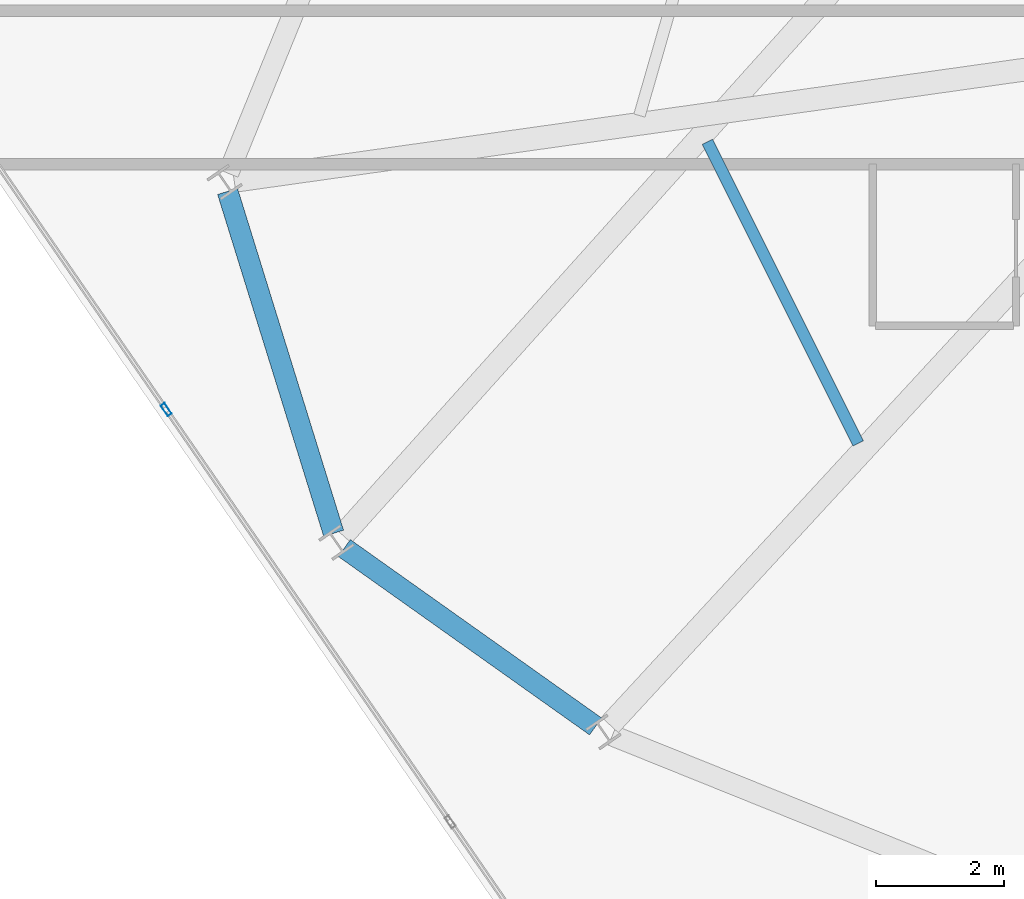
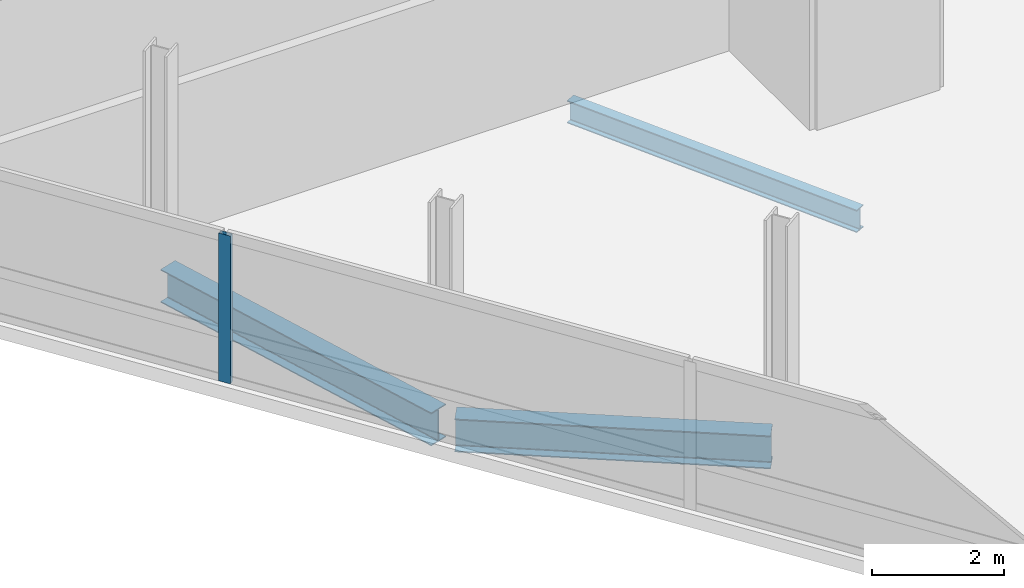
# One storey, part 5 of 21: 3 beams, 1 member, 1 element without a shape of its own.
"""IFC4 building model written with IfcOpenShell, lengths in metres."""

import ifcopenshell
import ifcopenshell.guid

model = None  # the IFC model being written
_history = None  # IfcOwnerHistory: only IFC2X3 demands one
_inside = {}  # id of a spatial element -> (the spatial element, [elements in it])
_under = {}  # id of a project, library or spatial element -> (it, [spatial elements below it])
_declared = {}  # id of a project -> (the project, [libraries it declares])
_typed = {}  # id of a type object -> (the type object, [elements of that type])
_made_of = {}  # id of a material, layer set ... -> (it, [elements and type objects made of it])


def new_model(schema):
    """Start an empty IFC model of exactly this schema.

    Asked for "IFC4X3", IfcOpenShell would pick the latest addendum, in which some entities
    have other attributes; the version numbers below select the first issue.
    IFC2X3 requires an IfcOwnerHistory on every rooted entity: one is made here for all.
    """
    global model, _history
    if schema == "IFC4X3":
        model = ifcopenshell.file(schema_version=(4, 3, 0, 0))
    else:
        model = ifcopenshell.file(schema=schema)
    _inside.clear()
    _under.clear()
    _declared.clear()
    _typed.clear()
    _made_of.clear()
    _history = None
    if model.schema == "IFC2X3":
        org = make("IfcOrganization", Name="unknown")
        user = make(
            "IfcPersonAndOrganization",
            ThePerson=make("IfcPerson", FamilyName="unknown"),
            TheOrganization=org,
        )
        app = make(
            "IfcApplication",
            ApplicationDeveloper=org,
            Version="unknown",
            ApplicationFullName="unknown",
            ApplicationIdentifier="unknown",
        )
        _history = make(
            "IfcOwnerHistory",
            OwningUser=user,
            OwningApplication=app,
            ChangeAction="ADDED",
            CreationDate=0,
        )
    return model


def make(cls, **values):
    """One entity of the class cls with the attributes given. An attribute that is None is left unset."""
    return model.create_entity(
        cls, **{name: value for name, value in values.items() if value is not None}
    )


def rooted(cls, **values):
    """An entity with a GlobalId (a new one), such as an element, a storey or a relation."""
    return make(cls, GlobalId=ifcopenshell.guid.new(), OwnerHistory=_history, **values)


def si_unit(unit_type, name, prefix=None):
    """IfcSIUnit, for example si_unit("LENGTHUNIT", "METRE", prefix="MILLI")."""
    return make("IfcSIUnit", UnitType=unit_type, Prefix=prefix, Name=name)


def assignment(units):
    """IfcUnitAssignment: the units of a project."""
    return None if units is None else make("IfcUnitAssignment", Units=units)


def point(xyz):
    """IfcCartesianPoint."""
    return None if xyz is None else make("IfcCartesianPoint", Coordinates=xyz)


def direction(xyz):
    """IfcDirection."""
    return None if xyz is None else make("IfcDirection", DirectionRatios=xyz)


def frame(location, z_axis=None, x_axis=None):
    """IfcAxis2Placement3D, a coordinate frame: its origin and axes. An axis left out is left unset."""
    return make(
        "IfcAxis2Placement3D",
        Location=point(location),
        Axis=direction(z_axis),
        RefDirection=direction(x_axis),
    )


def frame_2d(location, x_axis=None):
    """IfcAxis2Placement2D, a coordinate frame in the plane: its origin and x axis."""
    return make(
        "IfcAxis2Placement2D", Location=point(location), RefDirection=direction(x_axis)
    )


def origin():
    """The frame at (0, 0, 0) with its axes left unset."""
    return frame((0.0, 0.0, 0.0))


def origin_2d():
    """The frame at (0, 0) in the plane with its x axis left unset."""
    return frame_2d((0.0, 0.0))


def place(relative_to, where):
    """IfcLocalPlacement: puts the frame where relative to a parent placement (None: the world)."""
    return make(
        "IfcLocalPlacement", PlacementRelTo=relative_to, RelativePlacement=where
    )


def context(
    kind, dimensions, precision=None, world=None, true_north=None, identifier=None
):
    """IfcGeometricRepresentationContext, for example the 3D "Model" context."""
    return make(
        "IfcGeometricRepresentationContext",
        ContextIdentifier=identifier,
        ContextType=kind,
        CoordinateSpaceDimension=dimensions,
        Precision=precision,
        WorldCoordinateSystem=world,
        TrueNorth=true_north,
    )


def subcontext(parent, identifier, kind, view, scale=None):
    """IfcGeometricRepresentationSubContext, for example "Body" below "Model"."""
    return make(
        "IfcGeometricRepresentationSubContext",
        ContextIdentifier=identifier,
        ContextType=kind,
        ParentContext=parent,
        TargetScale=scale,
        TargetView=view,
    )


def project(units=None, contexts=None):
    """IfcProject with its units and contexts."""
    return rooted(
        "IfcProject",
        Name="project",
        RepresentationContexts=contexts,
        UnitsInContext=assignment(units),
    )


def spatial(cls, under=None, at=None, **own):
    """A site, building, storey or space (cls), placed at a placement, below another one or the project."""
    s = rooted(cls, ObjectPlacement=at, **own)
    if under is not None:
        _under.setdefault(under.id(), (under, []))[1].append(s)
    return s


def profile(cls, at=None, kind="AREA", **sizes):
    """A parametric profile (cls). Its sizes go by their IFC names, for example OverallWidth=200.0."""
    return make(cls, ProfileType=kind, Position=at, **sizes)


def hollow_rectangle(**sizes):
    """IfcRectangleHollowProfileDef."""
    return profile("IfcRectangleHollowProfileDef", **sizes)


def i_section(**sizes):
    """IfcIShapeProfileDef."""
    return profile("IfcIShapeProfileDef", **sizes)


def extrude(swept, where, along, depth):
    """IfcExtrudedAreaSolid: the profile swept, set in the frame where, extruded along a direction by depth."""
    return make(
        "IfcExtrudedAreaSolid",
        SweptArea=swept,
        Position=where,
        ExtrudedDirection=direction(along),
        Depth=depth,
    )


def shape(context_of_items, identifier, shape_type, items):
    """IfcShapeRepresentation: the items that make up one representation, for example the "Body"."""
    return make(
        "IfcShapeRepresentation",
        ContextOfItems=context_of_items,
        RepresentationIdentifier=identifier,
        RepresentationType=shape_type,
        Items=items,
    )


def material(Name=None, Category=None):
    """IfcMaterial."""
    return make("IfcMaterial", Name=Name, Category=Category)


def layer(
    of_material, thickness, ventilated=None, Name=None, Category=None, Priority=None
):
    """IfcMaterialLayer: one layer of a wall or slab, of a material (None: an air gap)."""
    return make(
        "IfcMaterialLayer",
        Material=of_material,
        LayerThickness=thickness,
        IsVentilated=ventilated,
        Name=Name,
        Category=Category,
        Priority=Priority,
    )


def layer_set(layers, Name=None):
    """IfcMaterialLayerSet."""
    return make("IfcMaterialLayerSet", MaterialLayers=layers, LayerSetName=Name)


def material_profile(
    of_material, cross_section, Name=None, Category=None, Priority=None
):
    """IfcMaterialProfile: a cross section and its material."""
    return make(
        "IfcMaterialProfile",
        Name=Name,
        Material=of_material,
        Profile=cross_section,
        Priority=Priority,
        Category=Category,
    )


def profile_set(profiles, Name=None, composite=None):
    """IfcMaterialProfileSet."""
    return make(
        "IfcMaterialProfileSet",
        Name=Name,
        MaterialProfiles=profiles,
        CompositeProfile=composite,
    )


def made_of(thing, what):
    """Note that an element or type object is made of a material, layer set ...; save() writes the relation."""
    if what is not None:
        _made_of.setdefault(what.id(), (what, []))[1].append(thing)
    return thing


def type_object(cls, material=None, **own):
    """A type object (cls), such as IfcWallType, which elements share."""
    return made_of(rooted(cls, **own), material)


def element(
    cls,
    number,
    at=None,
    inside=None,
    cuts=None,
    type_object=None,
    material=None,
    context=None,
    identifier="Body",
    shape_type=None,
    held_by="IfcProductDefinitionShape",
    body=None,
    shapes=None,
    **own,
):
    """One element of the class cls, such as IfcWall. Its Tag is "e" and its number.

    at: its placement. inside: the storey or other place that contains it. cuts: it is an
    opening in that element (IfcRelVoidsElement). A single representation is given by context,
    identifier, shape_type and body (its items); several are given by shapes. held_by: the class
    of the entity that holds the representations. save() writes the other relations.
    """
    e = rooted(cls, Tag="e%d" % number, ObjectPlacement=at, **own)
    if body is not None:
        shapes = [shape(context, identifier, shape_type, body)]
    if shapes is not None:
        e.Representation = make(held_by, Representations=shapes)
    if inside is not None:
        _inside.setdefault(inside.id(), (inside, []))[1].append(e)
    if cuts is not None:
        rooted(
            "IfcRelVoidsElement", RelatingBuildingElement=cuts, RelatedOpeningElement=e
        )
    if type_object is not None:
        _typed.setdefault(type_object.id(), (type_object, []))[1].append(e)
    return made_of(e, material)


def aggregate(whole, parts):
    """IfcRelAggregates: a whole, such as a stair, and the parts it consists of."""
    return rooted("IfcRelAggregates", RelatingObject=whole, RelatedObjects=parts)


def save(model, path):
    """Write the relations noted so far, then the file.

    IfcRelAggregates (storeys below a building ...), IfcRelContainedInSpatialStructure (elements
    in a storey), IfcRelDefinesByType, IfcRelAssociatesMaterial and IfcRelDeclares: one each for
    every whole, place, type object, material and project.
    """
    for whole, parts in _under.values():
        aggregate(whole, parts)
    for where, things in _inside.values():
        rooted(
            "IfcRelContainedInSpatialStructure",
            RelatedElements=things,
            RelatingStructure=where,
        )
    for kind, things in _typed.values():
        rooted("IfcRelDefinesByType", RelatedObjects=things, RelatingType=kind)
    for what, things in _made_of.values():
        rooted("IfcRelAssociatesMaterial", RelatedObjects=things, RelatingMaterial=what)
    for by, libraries in _declared.values():
        rooted("IfcRelDeclares", RelatingContext=by, RelatedDefinitions=libraries)
    model.write(path)


model = new_model("IFC4")

# Units and contexts
model_context = context("Model", 3, precision=1e-05, world=origin(), true_north=direction((0.0, 1.0)))
body_context = subcontext(model_context, "Body", "Model", "MODEL_VIEW")
ifc_project = project(units=[si_unit("LENGTHUNIT", "METRE"), si_unit("AREAUNIT", "SQUARE_METRE"), si_unit("VOLUMEUNIT", "CUBIC_METRE"), si_unit("PLANEANGLEUNIT", "RADIAN"), si_unit("MASSUNIT", "GRAM", prefix="KILO")], contexts=[model_context])

# Site, building, storey
site_placement = place(None, origin())
site = spatial("IfcSite", under=ifc_project, at=site_placement, CompositionType="ELEMENT")
building_placement = place(site_placement, origin())
building = spatial("IfcBuilding", under=site, at=building_placement, Name="Varnelok Gate Tower", CompositionType="ELEMENT")
storey_placement = place(building_placement, frame((0.0, 0.0, 269.300048828125)))
storey = spatial("IfcBuildingStorey", under=building, at=storey_placement, Name="L69", CompositionType="ELEMENT", Elevation=269.300048828125)

# Beams
ifc_material_1 = material(Name="Structural Steel ASTM A992 Grade 50", Category="steel")
ifc_material_profile_1 = material_profile(ifc_material_1, i_section(OverallWidth=0.180908203125, OverallDepth=0.4169921875, WebThickness=0.010986328125, FlangeThickness=0.018310546875, FilletRadius=0.013916015625, at=origin_2d()), Name="W16X57")
ifc_profile_set_1 = profile_set([ifc_material_profile_1], Name="Structural Steel ASTM A992 Grade 50")
beam_type_1 = type_object("IfcBeamType", Name="BM-JST-W16X57", PredefinedType="JOIST", material=ifc_profile_set_1)
beam_1_placement = place(storey_placement, frame((16.063720703125, 17.198974609375, -0.45849609375), z_axis=(0.447269375471, -0.89439929884, 0.0), x_axis=(0.89439929884, 0.447269375471, 0.0)))
element("IfcBeam", 1, at=beam_1_placement, inside=storey, type_object=beam_type_1, Name="L69 Sector Floor Joist 14", PredefinedType="JOIST", context=body_context, shape_type="SweptSolid", body=[
    extrude(i_section(OverallWidth=0.180908203125, OverallDepth=0.4169921875, WebThickness=0.010986328125, FlangeThickness=0.018310546875, FilletRadius=0.013916015625, at=origin_2d()), origin(), (0.0, 0.0, 1.0), 5.252197265625),
])
ifc_material_profile_2 = material_profile(ifc_material_1, i_section(OverallWidth=0.323974609375, OverallDepth=0.611083984375, WebThickness=0.0126953125, FlangeThickness=0.01904296875, FilletRadius=0.01806640625, at=origin_2d()), Name="W24X104")
ifc_profile_set_2 = profile_set([ifc_material_profile_2], Name="Structural Steel ASTM A992 Grade 50")
beam_type_2 = type_object("IfcBeamType", Name="BM-SPN-W24X104", PredefinedType="SPANDREL", material=ifc_profile_set_2)
beam_2_placement = place(storey_placement, frame((8.587646484375, 16.42529296875, -0.5556640625), z_axis=(0.296300068239, -0.955094900814, 0.0), x_axis=(0.955094900814, 0.296300068239, 0.0)))
element("IfcBeam", 2, at=beam_2_placement, inside=storey, type_object=beam_type_2, Name="L69 Perimeter Spandrel Beam 14", PredefinedType="SPANDREL", context=body_context, shape_type="SweptSolid", body=[
    extrude(i_section(OverallWidth=0.323974609375, OverallDepth=0.611083984375, WebThickness=0.0126953125, FlangeThickness=0.01904296875, FilletRadius=0.01806640625, at=origin_2d()), origin(), (0.0, 0.0, 1.0), 5.57666015625),
])
beam_3_placement = place(storey_placement, frame((10.40673828125, 10.868896484375, -0.5556640625), z_axis=(0.815431243688, -0.57885394256, 0.0), x_axis=(0.57885394256, 0.815431243688, 0.0)))
element("IfcBeam", 3, at=beam_3_placement, inside=storey, type_object=beam_type_2, Name="L69 Perimeter Spandrel Beam 15", PredefinedType="SPANDREL", context=body_context, shape_type="SweptSolid", body=[
    extrude(i_section(OverallWidth=0.323974609375, OverallDepth=0.611083984375, WebThickness=0.0126953125, FlangeThickness=0.01904296875, FilletRadius=0.01806640625, at=origin_2d()), origin(), (0.0, 0.0, 1.0), 4.7998046875),
])

# Curtain wall, member
ifc_material_2 = material(Name="Anodized Aluminum Alloy 6063-T6", Category="aluminium")
ifc_layer = layer(ifc_material_2, 0.179931640625)
ifc_layer_set = layer_set([ifc_layer], Name="Anodized Aluminum Alloy 6063-T6")
curtain_wall_type = type_object("IfcCurtainWallType", Name="CW4-RESIDENCE-VISION", PredefinedType="USERDEFINED", material=ifc_layer_set)
curtain_wall_placement = place(storey_placement, origin())
curtain_wall = element("IfcCurtainWall", 4, at=curtain_wall_placement, inside=storey, type_object=curtain_wall_type, Name="L69 West End Vision Curtain Wall", ObjectType="UNITISED CURTAIN WALL", PredefinedType="USERDEFINED")
ifc_material_profile_3 = material_profile(ifc_material_2, hollow_rectangle(XDim=0.074951171875, YDim=0.199951171875, WallThickness=0.00390625, at=origin_2d()), Name="ALU200X75X4")
ifc_profile_set_3 = profile_set([ifc_material_profile_3], Name="Anodized Aluminum Alloy 6063-T6")
member_type = type_object("IfcMemberType", Name="CW-MULL-200", PredefinedType="MULLION", material=ifc_profile_set_3)
member_placement = place(storey_placement, frame((7.631591796875, 13.0263671875, 0.0), z_axis=(0.0, 0.0, 1.0), x_axis=(-0.823532290241, -0.567269395376, 0.0)))
member = element("IfcMember", 5, at=member_placement, type_object=member_type, Name="CW4 mullion 4", PredefinedType="MULLION", context=body_context, shape_type="SweptSolid", body=[
    extrude(hollow_rectangle(XDim=0.074951171875, YDim=0.199951171875, WallThickness=0.00390625, at=origin_2d()), origin(), (0.0, 0.0, 1.0), 2.72998046875),
])
aggregate(curtain_wall, [member])

save(model, "model.ifc")
